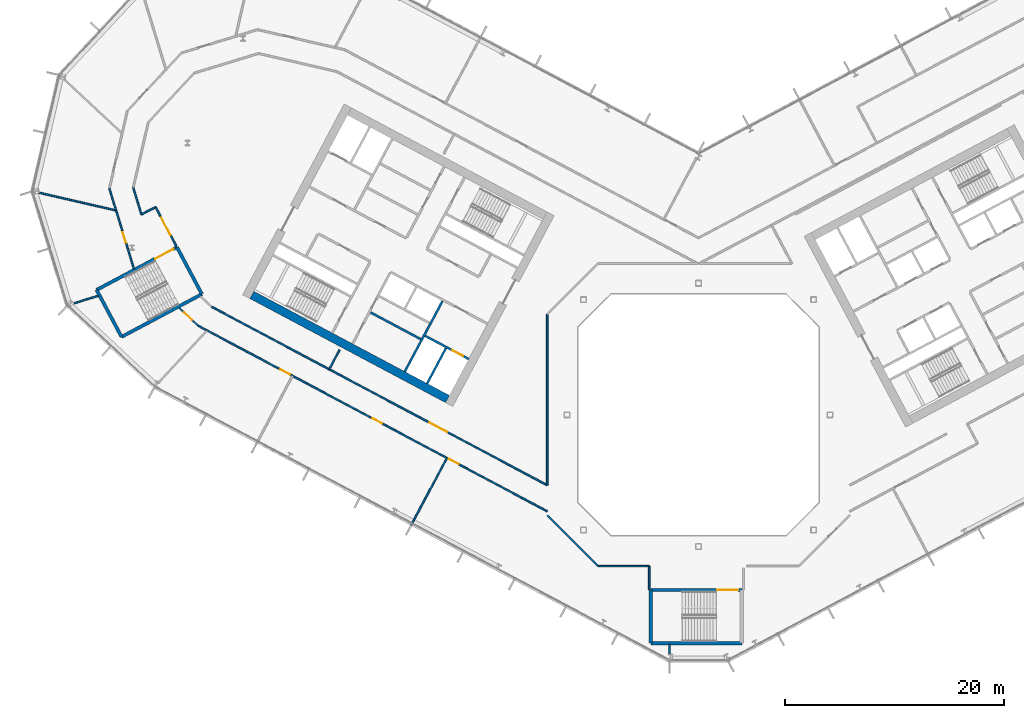
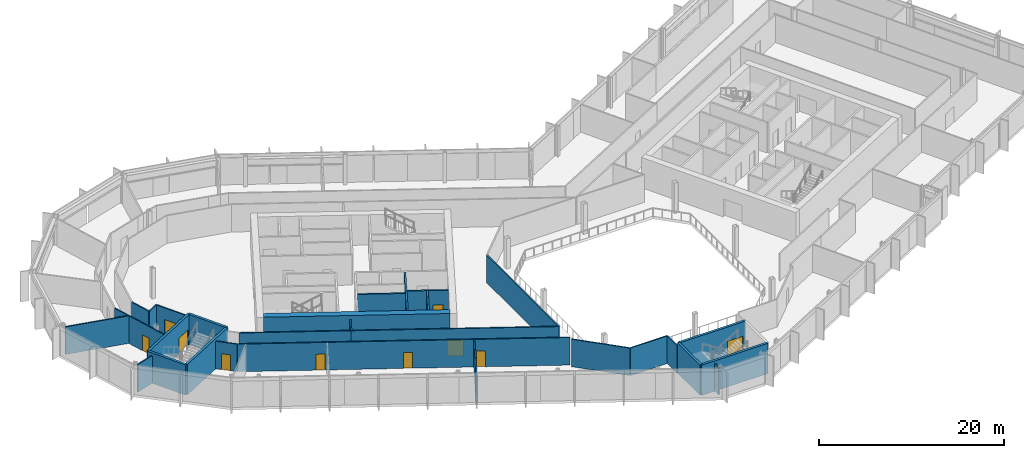
# One storey, part 13 of 28: 31 walls, 10 doors, 10 openings.
"""IFC4 building model written with IfcOpenShell, lengths in metres."""

from ifc_helpers import new_model, si_unit, direction, frame, frame_2d, origin, place, context, subcontext, project, spatial, rectangle, extrude, material, layer, layer_set, type_object, element, fill, save


model = new_model("IFC4")

# Units and contexts
model_context = context("Model", 3, precision=1e-05, world=origin(), true_north=direction((0.0, 1.0)))
body_context = subcontext(model_context, "Body", "Model", "MODEL_VIEW")
ifc_project = project(units=[si_unit("LENGTHUNIT", "METRE"), si_unit("AREAUNIT", "SQUARE_METRE"), si_unit("VOLUMEUNIT", "CUBIC_METRE"), si_unit("PLANEANGLEUNIT", "RADIAN"), si_unit("MASSUNIT", "GRAM", prefix="KILO")], contexts=[model_context])

# Site, building, storey
site_placement = place(None, origin())
site = spatial("IfcSite", under=ifc_project, at=site_placement, CompositionType="ELEMENT")
building_placement = place(site_placement, origin())
building = spatial("IfcBuilding", under=site, at=building_placement, Name="Cormorant Relay Tower", CompositionType="ELEMENT")
storey_placement = place(building_placement, frame((0.0, 0.0, 134.199951171875)))
storey = spatial("IfcBuildingStorey", under=building, at=storey_placement, Name="L27", CompositionType="ELEMENT", Elevation=134.199951171875)

# Walls
ifc_material_1 = material(Name="Concrete 40 MPa", Category="concrete")
ifc_layer_1 = layer(ifc_material_1, 0.199951171875)
ifc_layer_set_1 = layer_set([ifc_layer_1], Name="Core internal wall 200")
wall_type_1 = type_object("IfcWallType", Name="Core internal wall 200", PredefinedType="SOLIDWALL", material=ifc_layer_set_1)
wall_1_placement = place(storey_placement, frame((-25.326416015625, 6.8974609375, 0.0), z_axis=(0.0, 0.0, 1.0), x_axis=(-0.882953967957, 0.469459572775, 0.0)))
element("IfcWall", 1, at=wall_1_placement, inside=storey, type_object=wall_type_1, Name="L27 core A shaft and room wall", PredefinedType="SOLIDWALL", context=body_context, shape_type="SweptSolid", body=[
    extrude(rectangle(XDim=5.199951171875, YDim=0.199951171875, at=frame_2d((2.60009765625, 0.0))), origin(), (0.0, 0.0, 1.0), 4.0),
])
ifc_material_2 = material(Name="Concrete 50 MPa", Category="concrete")
ifc_layer_2 = layer(ifc_material_2, 0.199951171875)
ifc_layer_set_2 = layer_set([ifc_layer_2], Name="Core shaft wall 200")
wall_type_2 = type_object("IfcWallType", Name="Core shaft wall 200", PredefinedType="SHEAR", material=ifc_layer_set_2)
wall_2_placement = place(storey_placement, frame((-23.04296875, 6.07958984375, 0.0), z_axis=(0.0, 0.0, 1.0), x_axis=(-0.469494272526, -0.882935517501, 0.0)))
element("IfcWall", 2, at=wall_2_placement, inside=storey, type_object=wall_type_2, Name="L27 core A shaft wall", PredefinedType="SHEAR", context=body_context, shape_type="SweptSolid", body=[
    extrude(rectangle(XDim=3.64990234375, YDim=0.199951171875, at=frame_2d((1.824951171875, 0.0))), origin(), (0.0, 0.0, 1.0), 4.0),
])
wall_3_placement = place(storey_placement, frame((-23.360107421875, 10.38232421875, 0.0), z_axis=(0.0, 0.0, 1.0), x_axis=(-0.469480409012, -0.88294288918, 0.0)))
element("IfcWall", 3, at=wall_3_placement, inside=storey, type_object=wall_type_2, Name="L27 core A shaft wall", PredefinedType="SHEAR", context=body_context, shape_type="SweptSolid", body=[
    extrude(rectangle(XDim=7.300048828125, YDim=0.199951171875, at=frame_2d((3.64990234375, 0.0))), origin(), (0.0, 0.0, 1.0), 4.0),
])

# Wall, opening, door
wall_4_placement = place(storey_placement, frame((-20.96533203125, 5.088134765625, 0.0), z_axis=(0.0, 0.0, 1.0), x_axis=(-0.882925986334, 0.469512196493, 0.0)))
wall_4 = element("IfcWall", 4, at=wall_4_placement, inside=storey, type_object=wall_type_2, Name="L27 core A shaft wall", PredefinedType="SHEAR", context=body_context, shape_type="SweptSolid", body=[
    extrude(rectangle(XDim=4.5, YDim=0.199951171875, at=frame_2d((2.25, 0.0))), origin(), (0.0, 0.0, 1.0), 4.0),
])
opening_1_placement = place(wall_4_placement, frame((0.60009765625, 0.0, 0.0)))
opening_1 = element("IfcOpeningElement", 5, at=opening_1_placement, cuts=wall_4, Name="Opening LD1-043", PredefinedType="OPENING", context=body_context, shape_type="SweptSolid", body=[
    extrude(rectangle(XDim=1.10009765625, YDim=2.10009765625, at=frame_2d((0.550048828125, 1.050048828125))), frame((0.0, 0.10986328125, 0.0), z_axis=(0.0, -1.0, 0.0), x_axis=(1.0, 0.0, 0.0)), (0.0, 0.0, 1.0), 0.219970703125),
])
ifc_material_3 = material(Name="Stainless steel 316", Category="steel")
door_type_1 = type_object("IfcDoorType", Name="Lift landing door 1100x2100", OperationType="DOUBLE_DOOR_SLIDING", PredefinedType="DOOR", material=ifc_material_3)
door_1_placement = place(opening_1_placement, origin())
door_1 = element("IfcDoor", 6, at=door_1_placement, inside=storey, type_object=door_type_1, Name="FF1 landing door", OperationType="DOUBLE_DOOR_SLIDING", OverallHeight=2.10009765625, OverallWidth=1.10009765625, PredefinedType="DOOR", context=body_context, shape_type="SweptSolid", body=[
    extrude(rectangle(XDim=1.10009765625, YDim=2.10009765625, at=frame_2d((0.550048828125, 1.050048828125))), frame((0.0, 0.02490234375, 0.0), z_axis=(0.0, -1.0, 0.0), x_axis=(1.0, 0.0, 0.0)), (0.0, 0.0, 1.0), 0.050048828125),
])
fill(opening_1, door_1)

# Walls
ifc_material_4 = material(Name="Concrete 60 MPa", Category="concrete")
ifc_layer_3 = layer(ifc_material_4, 0.75)
ifc_layer_set_3 = layer_set([ifc_layer_3], Name="Core wall 750")
wall_type_3 = type_object("IfcWallType", Name="Core wall 750", PredefinedType="SHEAR", material=ifc_layer_set_3)
wall_5_placement = place(storey_placement, frame((-22.90185546875, 1.446044921875, 0.0), z_axis=(0.0, 0.0, 1.0), x_axis=(-0.88294509198, 0.469476266226, 0.0)))
element("IfcWall", 7, at=wall_5_placement, inside=storey, type_object=wall_type_3, Name="L27 core A wall", PredefinedType="SHEAR", context=body_context, shape_type="SweptSolid", body=[
    extrude(rectangle(XDim=20.199951171875, YDim=0.75, at=frame_2d((10.10009765625, 0.0))), origin(), (0.0, 0.0, 1.0), 4.0),
])
ifc_material_5 = material(Name="Gypsum board fire partition")
ifc_layer_4 = layer(ifc_material_5, 0.14990234375)
ifc_layer_set_4 = layer_set([ifc_layer_4], Name="Corridor partition 150 EI 60")
wall_type_4 = type_object("IfcWallType", Name="Corridor partition 150 EI 60", PredefinedType="PARTITIONING", material=ifc_layer_set_4)
wall_6_placement = place(storey_placement, frame((-53.736083984375, 20.636962890625, 0.0), z_axis=(0.0, 0.0, 1.0), x_axis=(0.292570604626, -0.956243923541, 0.0)))
element("IfcWall", 8, at=wall_6_placement, inside=storey, type_object=wall_type_4, Name="wall/L27/part/005", PredefinedType="PARTITIONING", context=body_context, shape_type="SweptSolid", body=[
    extrude(rectangle(XDim=2.06103515625, YDim=0.14990234375, at=frame_2d((1.030517578125, 0.0))), origin(), (0.0, 0.0, 1.0), 3.64013671875),
])

# Wall, opening, door
wall_7_placement = place(storey_placement, frame((-51.498046875, 13.318115234375, 0.0), z_axis=(0.0, 0.0, 1.0), x_axis=(-0.292370483919, 0.956305129199, 0.0)))
wall_7 = element("IfcWall", 9, at=wall_7_placement, inside=storey, type_object=wall_type_4, Name="wall/L27/part/006", PredefinedType="PARTITIONING", context=body_context, shape_type="SweptSolid", body=[
    extrude(rectangle(XDim=5.59228515625, YDim=0.14990234375, at=frame_2d((2.796142578125, 0.0))), origin(), (0.0, 0.0, 1.0), 3.64013671875),
])
opening_2_placement = place(wall_7_placement, frame((2.5, 0.0, 0.0)))
opening_2 = element("IfcOpeningElement", 10, at=opening_2_placement, cuts=wall_7, Name="Opening DS-029", PredefinedType="OPENING", context=body_context, shape_type="SweptSolid", body=[
    extrude(rectangle(XDim=1.0, YDim=2.10009765625, at=frame_2d((0.5, 1.050048828125))), frame((0.0, 0.0849609375, 0.0), z_axis=(0.0, -1.0, 0.0), x_axis=(1.0, 0.0, 0.0)), (0.0, 0.0, 1.0), 0.169921875),
])
ifc_material_6 = material(Name="Timber door leaf", Category="wood")
door_type_2 = type_object("IfcDoorType", Name="Suite door 1000x2100", OperationType="SINGLE_SWING_LEFT", PredefinedType="DOOR", material=ifc_material_6)
door_2_placement = place(opening_2_placement, origin())
door_2 = element("IfcDoor", 11, at=door_2_placement, inside=storey, type_object=door_type_2, Name="door/L27/016", OperationType="SINGLE_SWING_LEFT", OverallHeight=2.10009765625, OverallWidth=1.0, PredefinedType="DOOR", context=body_context, shape_type="SweptSolid", body=[
    extrude(rectangle(XDim=1.0, YDim=2.10009765625, at=frame_2d((0.5, 1.050048828125))), frame((0.0, 0.02490234375, 0.0), z_axis=(0.0, -1.0, 0.0), x_axis=(1.0, 0.0, 0.0)), (0.0, 0.0, 1.0), 0.050048828125),
])
fill(opening_2, door_2)

wall_8_placement = place(storey_placement, frame((-47.62109375, 15.3779296875, 0.0), z_axis=(0.0, 0.0, 1.0), x_axis=(-0.469542997944, 0.882909606404, 0.0)))
wall_8 = element("IfcWall", 12, at=wall_8_placement, inside=storey, type_object=wall_type_4, Name="wall/L27/part/016", PredefinedType="PARTITIONING", context=body_context, shape_type="SweptSolid", body=[
    extrude(rectangle(XDim=4.050537109375, YDim=0.14990234375, at=frame_2d((2.025390625, 0.0))), origin(), (0.0, 0.0, 1.0), 3.64013671875),
])
opening_3_placement = place(wall_8_placement, frame((1.14990234375, 0.0, 0.0)))
opening_3 = element("IfcOpeningElement", 13, at=opening_3_placement, cuts=wall_8, Name="Opening DD-005", PredefinedType="OPENING", context=body_context, shape_type="SweptSolid", body=[
    extrude(rectangle(XDim=1.800048828125, YDim=2.10009765625, at=frame_2d((0.89990234375, 1.050048828125))), frame((0.0, 0.0849609375, 0.0), z_axis=(0.0, -1.0, 0.0), x_axis=(1.0, 0.0, 0.0)), (0.0, 0.0, 1.0), 0.169921875),
])
ifc_material_7 = material(Name="Timber door leaf", Category="wood")
door_type_3 = type_object("IfcDoorType", Name="Suite double door 1800x2100", OperationType="DOUBLE_DOOR_SINGLE_SWING", PredefinedType="DOOR", material=ifc_material_7)
door_3_placement = place(opening_3_placement, frame((1.800048828125, 0.0, 0.0), z_axis=(0.0, 0.0, 1.0), x_axis=(-1.0, 0.0, 0.0)))
door_3 = element("IfcDoor", 14, at=door_3_placement, inside=storey, type_object=door_type_3, Name="door/L27/001", OperationType="DOUBLE_DOOR_SINGLE_SWING", OverallHeight=2.10009765625, OverallWidth=1.800048828125, PredefinedType="DOOR", context=body_context, shape_type="SweptSolid", body=[
    extrude(rectangle(XDim=1.800048828125, YDim=2.10009765625, at=frame_2d((0.89990234375, 1.050048828125))), frame((0.0, 0.02490234375, 0.0), z_axis=(0.0, -1.0, 0.0), x_axis=(1.0, 0.0, 0.0)), (0.0, 0.0, 1.0), 0.050048828125),
])
fill(opening_3, door_3)

# Walls
wall_9_placement = place(storey_placement, frame((-49.52294921875, 18.9541015625, 0.0), z_axis=(0.0, 0.0, 1.0), x_axis=(-0.882657481443, -0.470016776778, 0.0)))
element("IfcWall", 15, at=wall_9_placement, inside=storey, type_object=wall_type_4, Name="wall/L27/part/017", PredefinedType="PARTITIONING", context=body_context, shape_type="SweptSolid", body=[
    extrude(rectangle(XDim=1.4638671875, YDim=0.14990234375, at=frame_2d((0.73193359375, 0.0))), origin(), (0.0, 0.0, 1.0), 3.64013671875),
])
wall_10_placement = place(storey_placement, frame((-50.81494140625, 18.26611328125, 0.0), z_axis=(0.0, 0.0, 1.0), x_axis=(-0.292368834646, 0.956305633429, 0.0)))
element("IfcWall", 16, at=wall_10_placement, inside=storey, type_object=wall_type_4, Name="wall/L27/part/018", PredefinedType="PARTITIONING", context=body_context, shape_type="SweptSolid", body=[
    extrude(rectangle(XDim=2.55859375, YDim=0.14990234375, at=frame_2d((1.279296875, 0.0))), origin(), (0.0, 0.0, 1.0), 3.64013671875),
])
wall_11_placement = place(storey_placement, frame((-44.8798828125, 7.72412109375, 0.0), z_axis=(0.0, 0.0, 1.0), x_axis=(-0.883060479617, 0.469259192067, 0.0)))
element("IfcWall", 17, at=wall_11_placement, inside=storey, type_object=wall_type_4, Name="wall/L27/part/024", PredefinedType="PARTITIONING", context=body_context, shape_type="SweptSolid", body=[
    extrude(rectangle(XDim=0.8583984375, YDim=0.14990234375, at=frame_2d((0.42919921875, 0.0))), origin(), (0.0, 0.0, 1.0), 3.64013671875),
])

# Wall, opening, door
wall_12_placement = place(storey_placement, frame((-45.637939453125, 8.126953125, 0.0), z_axis=(0.0, 0.0, 1.0), x_axis=(-0.731136071802, 0.682231664839, 0.0)))
wall_12 = element("IfcWall", 18, at=wall_12_placement, inside=storey, type_object=wall_type_4, Name="wall/L27/part/025", PredefinedType="PARTITIONING", context=body_context, shape_type="SweptSolid", body=[
    extrude(rectangle(XDim=2.4111328125, YDim=0.14990234375, at=frame_2d((1.20556640625, 0.0))), origin(), (0.0, 0.0, 1.0), 3.64013671875),
])
opening_4_placement = place(wall_12_placement, frame((0.75, 0.0, 0.0)))
opening_4 = element("IfcOpeningElement", 19, at=opening_4_placement, cuts=wall_12, Name="Opening DS-030", PredefinedType="OPENING", context=body_context, shape_type="SweptSolid", body=[
    extrude(rectangle(XDim=1.0, YDim=2.10009765625, at=frame_2d((0.5, 1.050048828125))), frame((0.0, 0.0849609375, 0.0), z_axis=(0.0, -1.0, 0.0), x_axis=(1.0, 0.0, 0.0)), (0.0, 0.0, 1.0), 0.169921875),
])
door_4_placement = place(opening_4_placement, origin())
door_4 = element("IfcDoor", 20, at=door_4_placement, inside=storey, type_object=door_type_2, Name="door/L27/017", OperationType="SINGLE_SWING_RIGHT", OverallHeight=2.10009765625, OverallWidth=1.0, PredefinedType="DOOR", context=body_context, shape_type="SweptSolid", body=[
    extrude(rectangle(XDim=1.0, YDim=2.10009765625, at=frame_2d((0.5, 1.050048828125))), frame((0.0, 0.02490234375, 0.0), z_axis=(0.0, -1.0, 0.0), x_axis=(1.0, 0.0, 0.0)), (0.0, 0.0, 1.0), 0.050048828125),
])
fill(opening_4, door_4)

# Wall, openings, doors
wall_13_placement = place(storey_placement, frame((-13.802001953125, -8.800048828125, 0.0), z_axis=(0.0, 0.0, 1.0), x_axis=(-0.882950330338, 0.4694664143, 0.0)))
wall_13 = element("IfcWall", 21, at=wall_13_placement, inside=storey, type_object=wall_type_4, Name="wall/L27/part/027", PredefinedType="PARTITIONING", context=body_context, shape_type="SweptSolid", body=[
    extrude(rectangle(XDim=35.19775390625, YDim=0.14990234375, at=frame_2d((17.598876953125, 0.0))), origin(), (0.0, 0.0, 1.0), 3.64013671875),
])
opening_5_placement = place(wall_13_placement, frame((26.550048828125, 0.0, 0.0)))
opening_5 = element("IfcOpeningElement", 22, at=opening_5_placement, cuts=wall_13, Name="Opening DS-031", PredefinedType="OPENING", context=body_context, shape_type="SweptSolid", body=[
    extrude(rectangle(XDim=1.0, YDim=2.10009765625, at=frame_2d((0.5, 1.050048828125))), frame((0.0, 0.0849609375, 0.0), z_axis=(0.0, -1.0, 0.0), x_axis=(1.0, 0.0, 0.0)), (0.0, 0.0, 1.0), 0.169921875),
])
opening_6_placement = place(wall_13_placement, frame((17.050048828125, 0.0, 0.0)))
opening_6 = element("IfcOpeningElement", 23, at=opening_6_placement, cuts=wall_13, Name="Opening DS-032", PredefinedType="OPENING", context=body_context, shape_type="SweptSolid", body=[
    extrude(rectangle(XDim=1.0, YDim=2.10009765625, at=frame_2d((0.5, 1.050048828125))), frame((0.0, 0.0849609375, 0.0), z_axis=(0.0, -1.0, 0.0), x_axis=(1.0, 0.0, 0.0)), (0.0, 0.0, 1.0), 0.169921875),
])
opening_7_placement = place(wall_13_placement, frame((9.14892578125, 0.0, 0.0)))
opening_7 = element("IfcOpeningElement", 24, at=opening_7_placement, cuts=wall_13, Name="Opening DS-033", PredefinedType="OPENING", context=body_context, shape_type="SweptSolid", body=[
    extrude(rectangle(XDim=1.0, YDim=2.10009765625, at=frame_2d((0.5, 1.050048828125))), frame((0.0, 0.0849609375, 0.0), z_axis=(0.0, -1.0, 0.0), x_axis=(1.0, 0.0, 0.0)), (0.0, 0.0, 1.0), 0.169921875),
])
door_5_placement = place(opening_5_placement, origin())
door_5 = element("IfcDoor", 25, at=door_5_placement, inside=storey, type_object=door_type_2, Name="door/L27/018", OperationType="SINGLE_SWING_LEFT", OverallHeight=2.10009765625, OverallWidth=1.0, PredefinedType="DOOR", context=body_context, shape_type="SweptSolid", body=[
    extrude(rectangle(XDim=1.0, YDim=2.10009765625, at=frame_2d((0.5, 1.050048828125))), frame((0.0, 0.02490234375, 0.0), z_axis=(0.0, -1.0, 0.0), x_axis=(1.0, 0.0, 0.0)), (0.0, 0.0, 1.0), 0.050048828125),
])
fill(opening_5, door_5)
door_6_placement = place(opening_6_placement, origin())
door_6 = element("IfcDoor", 26, at=door_6_placement, inside=storey, type_object=door_type_2, Name="door/L27/019", OperationType="SINGLE_SWING_LEFT", OverallHeight=2.10009765625, OverallWidth=1.0, PredefinedType="DOOR", context=body_context, shape_type="SweptSolid", body=[
    extrude(rectangle(XDim=1.0, YDim=2.10009765625, at=frame_2d((0.5, 1.050048828125))), frame((0.0, 0.02490234375, 0.0), z_axis=(0.0, -1.0, 0.0), x_axis=(1.0, 0.0, 0.0)), (0.0, 0.0, 1.0), 0.050048828125),
])
fill(opening_6, door_6)
door_7_placement = place(opening_7_placement, origin())
door_7 = element("IfcDoor", 27, at=door_7_placement, inside=storey, type_object=door_type_2, Name="door/L27/020", OperationType="SINGLE_SWING_RIGHT", OverallHeight=2.10009765625, OverallWidth=1.0, PredefinedType="DOOR", context=body_context, shape_type="SweptSolid", body=[
    extrude(rectangle(XDim=1.0, YDim=2.10009765625, at=frame_2d((0.5, 1.050048828125))), frame((0.0, 0.02490234375, 0.0), z_axis=(0.0, -1.0, 0.0), x_axis=(1.0, 0.0, 0.0)), (0.0, 0.0, 1.0), 0.050048828125),
])
fill(opening_7, door_7)

# Wall
wall_14_placement = place(storey_placement, frame((-33.68505859375, 4.14990234375, 0.0), z_axis=(0.0, 0.0, 1.0), x_axis=(-0.882957675396, 0.469452599801, 0.0)))
element("IfcWall", 28, at=wall_14_placement, inside=storey, type_object=wall_type_4, Name="wall/L27/part/028", PredefinedType="PARTITIONING", context=body_context, shape_type="SweptSolid", body=[
    extrude(rectangle(XDim=12.144287109375, YDim=0.14990234375, at=frame_2d((6.072265625, 0.0))), origin(), (0.0, 0.0, 1.0), 3.64013671875),
])

# Wall, opening, door
wall_15_placement = place(storey_placement, frame((-13.800048828125, -6.423095703125, 0.0), z_axis=(0.0, 0.0, 1.0), x_axis=(-0.882948498314, 0.469469859869, 0.0)))
wall_15 = element("IfcWall", 29, at=wall_15_placement, inside=storey, type_object=wall_type_4, Name="wall/L27/part/036", PredefinedType="PARTITIONING", context=body_context, shape_type="SweptSolid", body=[
    extrude(rectangle(XDim=22.521240234375, YDim=0.14990234375, at=frame_2d((11.2607421875, 0.0))), origin(), (0.0, 0.0, 1.0), 3.64013671875),
])
opening_8_placement = place(wall_15_placement, frame((10.35009765625, 0.0, 0.0)))
opening_8 = element("IfcOpeningElement", 30, at=opening_8_placement, cuts=wall_15, Name="Opening DD-006", PredefinedType="OPENING", context=body_context, shape_type="SweptSolid", body=[
    extrude(rectangle(XDim=1.800048828125, YDim=2.10009765625, at=frame_2d((0.89990234375, 1.050048828125))), frame((0.0, 0.0849609375, 0.0), z_axis=(0.0, -1.0, 0.0), x_axis=(1.0, 0.0, 0.0)), (0.0, 0.0, 1.0), 0.169921875),
])
door_8_placement = place(opening_8_placement, frame((1.800048828125, 0.0, 0.0), z_axis=(0.0, 0.0, 1.0), x_axis=(-1.0, 0.0, 0.0)))
door_8 = element("IfcDoor", 31, at=door_8_placement, inside=storey, type_object=door_type_3, Name="door/L27/002", OperationType="DOUBLE_DOOR_SINGLE_SWING", OverallHeight=2.10009765625, OverallWidth=1.800048828125, PredefinedType="DOOR", context=body_context, shape_type="SweptSolid", body=[
    extrude(rectangle(XDim=1.800048828125, YDim=2.10009765625, at=frame_2d((0.89990234375, 1.050048828125))), frame((0.0, 0.02490234375, 0.0), z_axis=(0.0, -1.0, 0.0), x_axis=(1.0, 0.0, 0.0)), (0.0, 0.0, 1.0), 0.050048828125),
])
fill(opening_8, door_8)

# Walls
wall_16_placement = place(storey_placement, frame((-13.800048828125, 9.159912109375, 0.0), z_axis=(0.0, 0.0, 1.0), x_axis=(0.0, -1.0, 0.0)))
element("IfcWall", 32, at=wall_16_placement, inside=storey, type_object=wall_type_4, Name="wall/L27/part/047", PredefinedType="PARTITIONING", context=body_context, shape_type="SweptSolid", body=[
    extrude(rectangle(XDim=15.5830078125, YDim=0.14990234375, at=frame_2d((7.79150390625, 0.0))), origin(), (0.0, 0.0, 1.0), 3.64013671875),
])
wall_17_placement = place(storey_placement, frame((-4.493896484375, -13.800048828125, 0.0), z_axis=(0.0, 0.0, 1.0), x_axis=(-1.0, 0.0, 0.0)))
element("IfcWall", 33, at=wall_17_placement, inside=storey, type_object=wall_type_4, Name="wall/L27/part/048", PredefinedType="PARTITIONING", context=body_context, shape_type="SweptSolid", body=[
    extrude(rectangle(XDim=4.666015625, YDim=0.14990234375, at=frame_2d((2.3330078125, 0.0))), origin(), (0.0, 0.0, 1.0), 3.64013671875),
])
wall_18_placement = place(storey_placement, frame((-9.159912109375, -13.800048828125, 0.0), z_axis=(0.0, 0.0, 1.0), x_axis=(-0.707106781187, 0.707106781187, 0.0)))
element("IfcWall", 34, at=wall_18_placement, inside=storey, type_object=wall_type_4, Name="wall/L27/part/049", PredefinedType="PARTITIONING", context=body_context, shape_type="SweptSolid", body=[
    extrude(rectangle(XDim=6.562255859375, YDim=0.14990234375, at=frame_2d((3.28125, 0.0))), origin(), (0.0, 0.0, 1.0), 3.64013671875),
])
wall_19_placement = place(storey_placement, frame((-4.5, -15.97509765625, 0.0), z_axis=(0.0, 0.0, 1.0), x_axis=(0.0, 1.0, 0.0)))
element("IfcWall", 35, at=wall_19_placement, inside=storey, type_object=wall_type_4, Name="wall/L27/part/050", PredefinedType="PARTITIONING", context=body_context, shape_type="SweptSolid", body=[
    extrude(rectangle(XDim=2.150146484375, YDim=0.14990234375, at=frame_2d((1.0751953125, 0.0))), origin(), (0.0, 0.0, 1.0), 3.64013671875),
])
ifc_material_8 = material(Name="Concrete 50 MPa", Category="concrete")
ifc_layer_5 = layer(ifc_material_8, 0.300048828125)
ifc_layer_set_5 = layer_set([ifc_layer_5], Name="Remote stair wall 300")
wall_type_5 = type_object("IfcWallType", Name="Remote stair wall 300", PredefinedType="SHEAR", material=ifc_layer_set_5)
wall_20_placement = place(storey_placement, frame((3.949951171875, -20.824951171875, 0.0), z_axis=(0.0, 0.0, 1.0), x_axis=(-1.0, 0.0, 0.0)))
element("IfcWall", 36, at=wall_20_placement, inside=storey, type_object=wall_type_5, Name="L27 exit stair RK1 wall", PredefinedType="SHEAR", context=body_context, shape_type="SweptSolid", body=[
    extrude(rectangle(XDim=8.300048828125, YDim=0.300048828125, at=frame_2d((4.14990234375, 0.0))), origin(), (0.0, 0.0, 1.0), 4.0),
])
wall_21_placement = place(storey_placement, frame((-4.35009765625, -20.824951171875, 0.0), z_axis=(0.0, 0.0, 1.0), x_axis=(0.0, 1.0, 0.0)))
element("IfcWall", 37, at=wall_21_placement, inside=storey, type_object=wall_type_5, Name="L27 exit stair RK1 wall", PredefinedType="SHEAR", context=body_context, shape_type="SweptSolid", body=[
    extrude(rectangle(XDim=4.849853515625, YDim=0.300048828125, at=frame_2d((2.4248046875, 0.0))), origin(), (0.0, 0.0, 1.0), 4.0),
])

# Wall, opening, door
wall_22_placement = place(storey_placement, frame((-4.35009765625, -15.97509765625, 0.0), z_axis=(0.0, 0.0, 1.0), x_axis=(1.0, 0.0, 0.0)))
wall_22 = element("IfcWall", 38, at=wall_22_placement, inside=storey, type_object=wall_type_5, Name="L27 exit stair RK1 wall", PredefinedType="SHEAR", context=body_context, shape_type="SweptSolid", body=[
    extrude(rectangle(XDim=8.300048828125, YDim=0.300048828125, at=frame_2d((4.14990234375, 0.0))), origin(), (0.0, 0.0, 1.0), 4.0),
])
opening_9_placement = place(wall_22_placement, frame((6.050048828125, 0.0, 0.0)))
opening_9 = element("IfcOpeningElement", 39, at=opening_9_placement, cuts=wall_22, Name="Opening CDE-012", PredefinedType="OPENING", context=body_context, shape_type="SweptSolid", body=[
    extrude(rectangle(XDim=1.89990234375, YDim=2.10009765625, at=frame_2d((0.949951171875, 1.050048828125))), frame((0.0, 0.159912109375, 0.0), z_axis=(0.0, -1.0, 0.0), x_axis=(1.0, 0.0, 0.0)), (0.0, 0.0, 1.0), 0.320068359375),
])
ifc_material_9 = material(Name="Steel fire door", Category="steel")
door_type_4 = type_object("IfcDoorType", Name="Remote stair door 1900x2100", OperationType="DOUBLE_DOOR_SINGLE_SWING", PredefinedType="DOOR", material=ifc_material_9)
door_9_placement = place(opening_9_placement, frame((1.89990234375, 0.0, 0.0), z_axis=(0.0, 0.0, 1.0), x_axis=(-1.0, 0.0, 0.0)))
door_9 = element("IfcDoor", 40, at=door_9_placement, inside=storey, type_object=door_type_4, Name="Exit stair RK1 door", OperationType="DOUBLE_DOOR_SINGLE_SWING", OverallHeight=2.10009765625, OverallWidth=1.89990234375, PredefinedType="DOOR", context=body_context, shape_type="SweptSolid", body=[
    extrude(rectangle(XDim=1.89990234375, YDim=2.10009765625, at=frame_2d((0.949951171875, 1.050048828125))), frame((0.0, 0.02490234375, 0.0), z_axis=(0.0, -1.0, 0.0), x_axis=(1.0, 0.0, 0.0)), (0.0, 0.0, 1.0), 0.050048828125),
])
fill(opening_9, door_9)

# Walls
wall_23_placement = place(storey_placement, frame((-47.57421875, 15.28955078125, 0.0), z_axis=(0.0, 0.0, 1.0), x_axis=(0.469443498566, -0.882962514297, 0.0)))
element("IfcWall", 41, at=wall_23_placement, inside=storey, type_object=wall_type_5, Name="L27 exit stair RP1 wall", PredefinedType="SHEAR", context=body_context, shape_type="SweptSolid", body=[
    extrude(rectangle(XDim=4.85009765625, YDim=0.300048828125, at=frame_2d((2.425048828125, 0.0))), origin(), (0.0, 0.0, 1.0), 4.0),
])
wall_24_placement = place(storey_placement, frame((-45.29736328125, 11.007080078125, 0.0), z_axis=(0.0, 0.0, 1.0), x_axis=(-0.882951519127, -0.469464178475, 0.0)))
element("IfcWall", 42, at=wall_24_placement, inside=storey, type_object=wall_type_5, Name="L27 exit stair RP1 wall", PredefinedType="SHEAR", context=body_context, shape_type="SweptSolid", body=[
    extrude(rectangle(XDim=8.2998046875, YDim=0.300048828125, at=frame_2d((4.14990234375, 0.0))), origin(), (0.0, 0.0, 1.0), 4.0),
])
wall_25_placement = place(storey_placement, frame((-52.625732421875, 7.110595703125, 0.0), z_axis=(0.0, 0.0, 1.0), x_axis=(-0.469464364128, 0.882951420416, 0.0)))
element("IfcWall", 43, at=wall_25_placement, inside=storey, type_object=wall_type_5, Name="L27 exit stair RP1 wall", PredefinedType="SHEAR", context=body_context, shape_type="SweptSolid", body=[
    extrude(rectangle(XDim=4.849853515625, YDim=0.300048828125, at=frame_2d((2.4248046875, 0.0))), origin(), (0.0, 0.0, 1.0), 4.0),
])

# Wall, opening, door
wall_26_placement = place(storey_placement, frame((-54.902587890625, 11.392822265625, 0.0), z_axis=(0.0, 0.0, 1.0), x_axis=(0.882939326045, 0.469487110071, 0.0)))
wall_26 = element("IfcWall", 44, at=wall_26_placement, inside=storey, type_object=wall_type_5, Name="L27 exit stair RP1 wall", PredefinedType="SHEAR", context=body_context, shape_type="SweptSolid", body=[
    extrude(rectangle(XDim=8.300048828125, YDim=0.300048828125, at=frame_2d((4.14990234375, 0.0))), origin(), (0.0, 0.0, 1.0), 4.0),
])
opening_10_placement = place(wall_26_placement, frame((6.050048828125, 0.0, 0.0)))
opening_10 = element("IfcOpeningElement", 45, at=opening_10_placement, cuts=wall_26, Name="Opening CDE-013", PredefinedType="OPENING", context=body_context, shape_type="SweptSolid", body=[
    extrude(rectangle(XDim=1.89990234375, YDim=2.10009765625, at=frame_2d((0.949951171875, 1.050048828125))), frame((0.0, 0.159912109375, 0.0), z_axis=(0.0, -1.0, 0.0), x_axis=(1.0, 0.0, 0.0)), (0.0, 0.0, 1.0), 0.320068359375),
])
door_10_placement = place(opening_10_placement, frame((1.89990234375, 0.0, 0.0), z_axis=(0.0, 0.0, 1.0), x_axis=(-1.0, 0.0, 0.0)))
door_10 = element("IfcDoor", 46, at=door_10_placement, inside=storey, type_object=door_type_4, Name="Exit stair RP1 door", OperationType="DOUBLE_DOOR_SINGLE_SWING", OverallHeight=2.10009765625, OverallWidth=1.89990234375, PredefinedType="DOOR", context=body_context, shape_type="SweptSolid", body=[
    extrude(rectangle(XDim=1.89990234375, YDim=2.10009765625, at=frame_2d((0.949951171875, 1.050048828125))), frame((0.0, 0.02490234375, 0.0), z_axis=(0.0, -1.0, 0.0), x_axis=(1.0, 0.0, 0.0)), (0.0, 0.0, 1.0), 0.050048828125),
])
fill(opening_10, door_10)

# Walls
ifc_material_10 = material(Name="Gypsum board partition")
ifc_layer_6 = layer(ifc_material_10, 0.14990234375)
ifc_layer_set_6 = layer_set([ifc_layer_6], Name="Tenant partition 150")
wall_type_6 = type_object("IfcWallType", Name="Tenant partition 150", PredefinedType="PARTITIONING", material=ifc_layer_set_6)
wall_27_placement = place(storey_placement, frame((-53.125, 18.639892578125, 0.0), z_axis=(0.0, 0.0, 1.0), x_axis=(-0.974351745411, 0.225030389536, 0.0)))
element("IfcWall", 47, at=wall_27_placement, inside=storey, type_object=wall_type_6, Name="wall/L27/part/001", PredefinedType="PARTITIONING", context=body_context, shape_type="SweptSolid", body=[
    extrude(rectangle(XDim=7.199462890625, YDim=0.14990234375, at=frame_2d((3.599609375, 0.0))), origin(), (0.0, 0.0, 1.0), 3.64013671875),
])
wall_28_placement = place(storey_placement, frame((-54.73193359375, 10.85693359375, 0.0), z_axis=(0.0, 0.0, 1.0), x_axis=(-0.956196980242, -0.292723991119, 0.0)))
element("IfcWall", 48, at=wall_28_placement, inside=storey, type_object=wall_type_6, Name="wall/L27/part/003", PredefinedType="PARTITIONING", context=body_context, shape_type="SweptSolid", body=[
    extrude(rectangle(XDim=2.343505859375, YDim=0.14990234375, at=frame_2d((1.171875, 0.0))), origin(), (0.0, 0.0, 1.0), 3.64013671875),
])
wall_29_placement = place(storey_placement, frame((-22.950927734375, -3.93603515625, 0.0), z_axis=(0.0, 0.0, 1.0), x_axis=(-0.469541311651, -0.882910503196, 0.0)))
element("IfcWall", 49, at=wall_29_placement, inside=storey, type_object=wall_type_6, Name="wall/L27/part/033", PredefinedType="PARTITIONING", context=body_context, shape_type="SweptSolid", body=[
    extrude(rectangle(XDim=6.94970703125, YDim=0.14990234375, at=frame_2d((3.474853515625, 0.0))), origin(), (0.0, 0.0, 1.0), 3.64013671875),
])
wall_30_placement = place(storey_placement, frame((-32.73193359375, 5.943115234375, 0.0), z_axis=(0.0, 0.0, 1.0), x_axis=(-0.469339803677, -0.88301763781, 0.0)))
element("IfcWall", 50, at=wall_30_placement, inside=storey, type_object=wall_type_6, Name="wall/L27/part/037", PredefinedType="PARTITIONING", context=body_context, shape_type="SweptSolid", body=[
    extrude(rectangle(XDim=2.03076171875, YDim=0.14990234375, at=frame_2d((1.015380859375, 0.0))), origin(), (0.0, 0.0, 1.0), 3.64013671875),
])
wall_31_placement = place(storey_placement, frame((-2.64892578125, -20.925048828125, 0.0), z_axis=(0.0, 0.0, 1.0), x_axis=(0.0, -1.0, 0.0)))
element("IfcWall", 51, at=wall_31_placement, inside=storey, type_object=wall_type_6, Name="wall/L27/part/051", PredefinedType="PARTITIONING", context=body_context, shape_type="SweptSolid", body=[
    extrude(rectangle(XDim=0.90283203125, YDim=0.14990234375, at=frame_2d((0.451416015625, 0.0))), origin(), (0.0, 0.0, 1.0), 3.64013671875),
])

save(model, "model.ifc")
